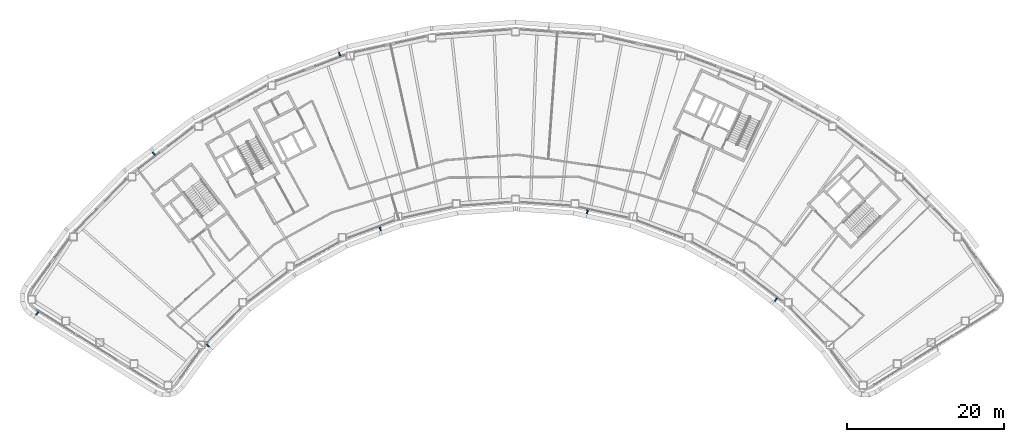
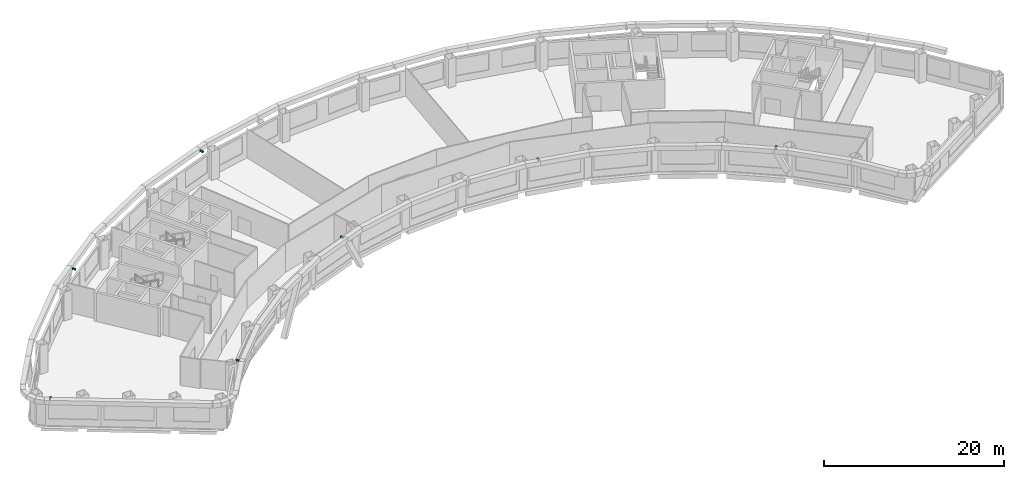
# One storey, part 9 of 13: 7 discrete accessories.
"""IFC4 building model written with IfcOpenShell, lengths in metres."""

from ifc_helpers import new_model, si_unit, direction, frame, origin, origin_2d, place, context, subcontext, project, spatial, rectangle, extrude, material, type_object, element, save


model = new_model("IFC4")

# Units and contexts
model_context = context("Model", 3, precision=1e-05, world=origin(), true_north=direction((0.0, 1.0)))
body_context = subcontext(model_context, "Body", "Model", "MODEL_VIEW")
ifc_project = project(units=[si_unit("LENGTHUNIT", "METRE"), si_unit("AREAUNIT", "SQUARE_METRE"), si_unit("VOLUMEUNIT", "CUBIC_METRE"), si_unit("PLANEANGLEUNIT", "RADIAN"), si_unit("MASSUNIT", "GRAM", prefix="KILO")], contexts=[model_context])

# Site, building, storey
site_placement = place(None, origin())
site = spatial("IfcSite", under=ifc_project, at=site_placement, CompositionType="ELEMENT")
building_placement = place(site_placement, origin())
building = spatial("IfcBuilding", under=site, at=building_placement, Name="Tuul Gate Civic Tower", CompositionType="ELEMENT")
storey_placement = place(building_placement, frame((0.0, 0.0, 150.800048828125)))
storey = spatial("IfcBuildingStorey", under=building, at=storey_placement, Name="Level 34", CompositionType="ELEMENT", Elevation=150.800048828125)

# Discrete accessories
ifc_material = material(Name="Stainless steel", Category="steel")
discrete_accessory_type = type_object("IfcDiscreteAccessoryType", Name="Screen bracket", PredefinedType="BRACKET", material=ifc_material)
discrete_accessory_1_placement = place(storey_placement, frame((-17.054931640625, 6.372802734375, 3.75), z_axis=(0.0, 0.0, 1.0), x_axis=(-0.301086957447, 0.953596688362, 0.0)))
element("IfcDiscreteAccessory", 1, at=discrete_accessory_1_placement, inside=storey, type_object=discrete_accessory_type, Name="Screen bracket 12", PredefinedType="BRACKET", context=body_context, shape_type="SweptSolid", body=[
    extrude(rectangle(XDim=0.45068359375, YDim=0.199951171875, at=origin_2d()), origin(), (0.0, 0.0, 1.0), 0.199951171875),
])
discrete_accessory_2_placement = place(storey_placement, frame((-40.741455078125, -6.29248046875, 3.75), z_axis=(0.0, 0.0, 1.0), x_axis=(-0.619894079359, 0.784685497748, 0.0)))
element("IfcDiscreteAccessory", 2, at=discrete_accessory_2_placement, inside=storey, type_object=discrete_accessory_type, Name="Screen bracket 15", PredefinedType="BRACKET", context=body_context, shape_type="SweptSolid", body=[
    extrude(rectangle(XDim=0.4501953125, YDim=0.199951171875, at=origin_2d()), origin(), (0.0, 0.0, 1.0), 0.199951171875),
])
discrete_accessory_3_placement = place(storey_placement, frame((-55.588623046875, -26.661865234375, 3.75), z_axis=(0.0, 0.0, 1.0), x_axis=(-0.6096084952, -0.792702644489, 0.0)))
element("IfcDiscreteAccessory", 3, at=discrete_accessory_3_placement, inside=storey, type_object=discrete_accessory_type, Name="Screen bracket 18", PredefinedType="BRACKET", context=body_context, shape_type="SweptSolid", body=[
    extrude(rectangle(XDim=0.4521484375, YDim=0.199951171875, at=origin_2d()), origin(), (0.0, 0.0, 1.0), 0.199951171875),
])
discrete_accessory_4_placement = place(storey_placement, frame((-33.82958984375, -30.762451171875, 3.75), z_axis=(0.0, 0.0, 1.0), x_axis=(0.756393726756, -0.65411660285, 0.0)))
element("IfcDiscreteAccessory", 4, at=discrete_accessory_4_placement, inside=storey, type_object=discrete_accessory_type, Name="Screen bracket 21", PredefinedType="BRACKET", context=body_context, shape_type="SweptSolid", body=[
    extrude(rectangle(XDim=0.450927734375, YDim=0.199951171875, at=origin_2d()), origin(), (0.0, 0.0, 1.0), 0.199951171875),
])
for number, where, z_axis, x_axis, name in (
    (5, (-11.880615234375, -15.885986328125, 3.75), (0.0, 0.0, 1.0), (0.333466276964, -0.942762028365, 0.0), "Screen bracket 24"),
    (6, (14.5224609375, -13.711181640625, 3.75), (0.0, 0.0, 1.0), (-0.176730873332, -0.984259213018, 0.0), "Screen bracket 27"),
):
    element("IfcDiscreteAccessory", number, at=place(storey_placement, frame(where, z_axis=z_axis, x_axis=x_axis)), inside=storey, type_object=discrete_accessory_type, Name=name, PredefinedType="BRACKET", context=body_context, shape_type="SweptSolid", body=[
        extrude(rectangle(XDim=0.4501953125, YDim=0.199951171875, at=origin_2d()), origin(), (0.0, 0.0, 1.0), 0.199951171875),
    ])
discrete_accessory_5_placement = place(storey_placement, frame((38.55224609375, -24.91064453125, 3.75), z_axis=(0.0, 0.0, 1.0), x_axis=(-0.640755790421, -0.767744760348, 0.0)))
element("IfcDiscreteAccessory", 7, at=discrete_accessory_5_placement, inside=storey, type_object=discrete_accessory_type, Name="Screen bracket 30", PredefinedType="BRACKET", context=body_context, shape_type="SweptSolid", body=[
    extrude(rectangle(XDim=0.450439453125, YDim=0.199951171875, at=origin_2d()), origin(), (0.0, 0.0, 1.0), 0.199951171875),
])

save(model, "model.ifc")
